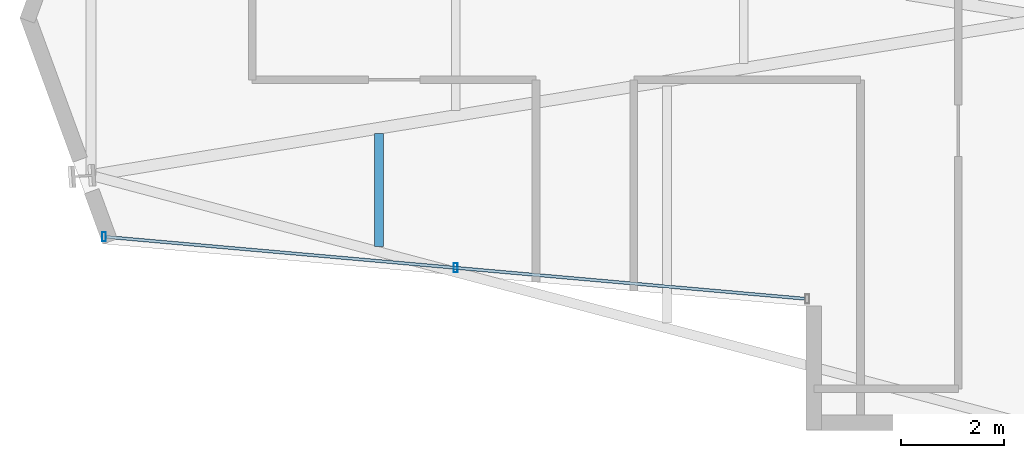
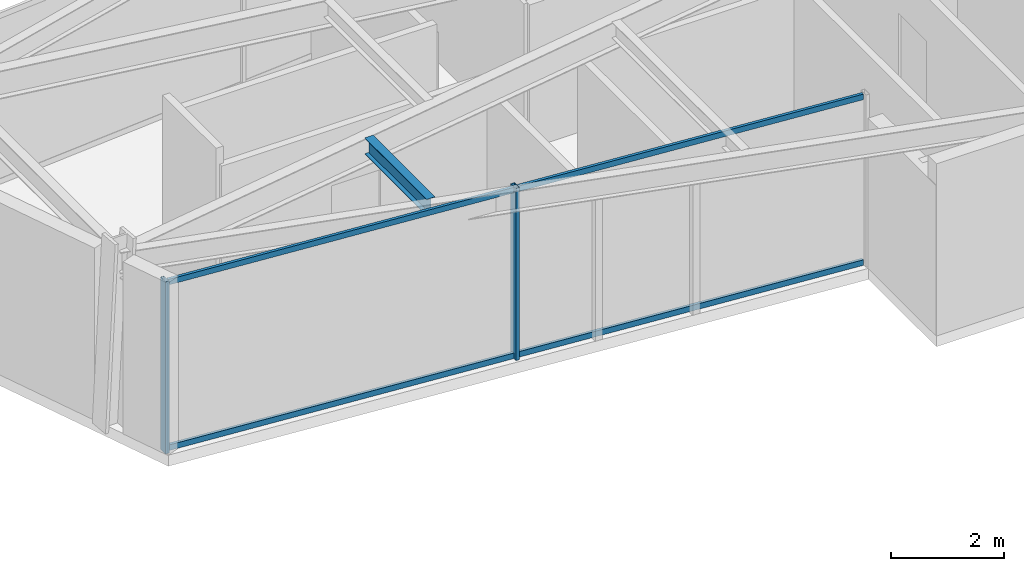
# One storey, part 2 of 23: 4 members, 1 beam, 1 element without a shape of its own.
"""IFC4 building model written with IfcOpenShell, lengths in metres."""

from ifc_helpers import new_model, si_unit, direction, frame, origin, origin_2d, place, context, subcontext, project, spatial, hollow_rectangle, i_section, extrude, material, layer, layer_set, material_profile, profile_set, type_object, element, aggregate, save


model = new_model("IFC4")

# Units and contexts
model_context = context("Model", 3, precision=1e-05, world=origin(), true_north=direction((0.0, 1.0)))
body_context = subcontext(model_context, "Body", "Model", "MODEL_VIEW")
ifc_project = project(units=[si_unit("LENGTHUNIT", "METRE"), si_unit("AREAUNIT", "SQUARE_METRE"), si_unit("VOLUMEUNIT", "CUBIC_METRE"), si_unit("PLANEANGLEUNIT", "RADIAN"), si_unit("MASSUNIT", "GRAM", prefix="KILO")], contexts=[model_context])

# Site, building, storey
site_placement = place(None, origin())
site = spatial("IfcSite", under=ifc_project, at=site_placement, CompositionType="ELEMENT")
building_placement = place(site_placement, origin())
building = spatial("IfcBuilding", under=site, at=building_placement, Name="Veymaron Broadcast Tower", CompositionType="ELEMENT")
storey_placement = place(building_placement, frame((0.0, 0.0, 177.60009765625)))
storey = spatial("IfcBuildingStorey", under=building, at=storey_placement, Name="L41", CompositionType="ELEMENT", Elevation=177.60009765625)

# Beam
ifc_material_1 = material(Name="Structural steel ASTM A992 Gr 50", Category="steel")
ifc_material_profile_1 = material_profile(ifc_material_1, i_section(OverallWidth=0.1708984375, OverallDepth=0.35498046875, WebThickness=0.007080078125, FlangeThickness=0.01171875, at=origin_2d()), Name="W360X51")
ifc_profile_set_1 = profile_set([ifc_material_profile_1], Name="Structural steel ASTM A992 Gr 50")
beam_type = type_object("IfcBeamType", Name="BM-JS2", PredefinedType="JOIST", material=ifc_profile_set_1)
beam_placement = place(storey_placement, frame((18.152587890625, 19.5615234375, 3.552490234375), z_axis=(0.0, 1.0, 0.0), x_axis=(-1.0, 0.0, 0.0)))
element("IfcBeam", 1, at=beam_placement, inside=storey, type_object=beam_type, Name="L41 Arm-A secondary joist 1S", PredefinedType="JOIST", context=body_context, shape_type="SweptSolid", body=[
    extrude(i_section(OverallWidth=0.1708984375, OverallDepth=0.35498046875, WebThickness=0.007080078125, FlangeThickness=0.01171875, at=origin_2d()), origin(), (0.0, 0.0, 1.0), 2.199951171875),
])

# Curtain wall, members
ifc_material_2 = material(Name="Anodised aluminium AA 6063-T6 and laminated low-E dark glass", Category="aluminium")
ifc_layer = layer(ifc_material_2, 0.179931640625)
ifc_layer_set = layer_set([ifc_layer], Name="Anodised aluminium AA 6063-T6 and laminated low-E dark glass")
curtain_wall_type = type_object("IfcCurtainWallType", Name="CW-SYS-03", PredefinedType="NOTDEFINED", material=ifc_layer_set)
curtain_wall_placement = place(storey_placement, origin())
curtain_wall = element("IfcCurtainWall", 2, at=curtain_wall_placement, inside=storey, type_object=curtain_wall_type, Name="L41 dark-glass curtain wall CW-L41-E14-1", PredefinedType="NOTDEFINED")
ifc_material_3 = material(Name="Anodised aluminium AA 6063-T6", Category="aluminium")
ifc_material_profile_2 = material_profile(ifc_material_3, hollow_rectangle(XDim=0.074951171875, YDim=0.179931640625, WallThickness=0.0048828125, at=origin_2d()), Name="AL180X75X5")
ifc_profile_set_2 = profile_set([ifc_material_profile_2], Name="Anodised aluminium AA 6063-T6")
member_type_1 = type_object("IfcMemberType", Name="CW-MUL-02", PredefinedType="MULLION", material=ifc_profile_set_2)
member_1_placement = place(storey_placement, frame((12.812255859375, 19.75439453125, 0.0), z_axis=(0.0, 0.0, 1.0), x_axis=(1.0, 0.0, 0.0)))
member_1 = element("IfcMember", 3, at=member_1_placement, type_object=member_type_1, Name="CW-L41-E14-1 mullion 0", PredefinedType="MULLION", context=body_context, shape_type="SweptSolid", body=[
    extrude(hollow_rectangle(XDim=0.074951171875, YDim=0.179931640625, WallThickness=0.0048828125, at=origin_2d()), origin(), (0.0, 0.0, 1.0), 3.72998046875),
])
member_2_placement = place(storey_placement, frame((19.640380859375, 19.150390625, 0.0), z_axis=(0.0, 0.0, 1.0), x_axis=(1.0, 0.0, 0.0)))
member_2 = element("IfcMember", 4, at=member_2_placement, type_object=member_type_1, Name="CW-L41-E14-1 mullion 1", PredefinedType="MULLION", context=body_context, shape_type="SweptSolid", body=[
    extrude(hollow_rectangle(XDim=0.074951171875, YDim=0.179931640625, WallThickness=0.0048828125, at=origin_2d()), origin(), (0.0, 0.0, 1.0), 3.72998046875),
])
ifc_material_profile_3 = material_profile(ifc_material_3, hollow_rectangle(XDim=0.06005859375, YDim=0.1201171875, WallThickness=0.00390625, at=origin_2d()), Name="AL120X60X4")
ifc_profile_set_3 = profile_set([ifc_material_profile_3], Name="Anodised aluminium AA 6063-T6")
member_type_2 = type_object("IfcMemberType", Name="CW-TRN-02", PredefinedType="USERDEFINED", material=ifc_profile_set_3)
member_3_placement = place(storey_placement, frame((12.862060546875, 19.75, 0.06982421875), z_axis=(0.996110099516, -0.088117362883, 0.0), x_axis=(0.088117362883, 0.996110099516, 0.0)))
member_3 = element("IfcMember", 5, at=member_3_placement, type_object=member_type_2, Name="CW-L41-E14-1 transom B", ObjectType="TRANSOM", PredefinedType="USERDEFINED", context=body_context, shape_type="SweptSolid", body=[
    extrude(hollow_rectangle(XDim=0.06005859375, YDim=0.1201171875, WallThickness=0.00390625, at=origin_2d()), origin(), (0.0, 0.0, 1.0), 13.609375),
])
member_4_placement = place(storey_placement, frame((12.862060546875, 19.75, 3.659912109375), z_axis=(0.996110099516, -0.088117362883, 0.0), x_axis=(0.088117362883, 0.996110099516, 0.0)))
member_4 = element("IfcMember", 6, at=member_4_placement, type_object=member_type_2, Name="CW-L41-E14-1 transom T", ObjectType="TRANSOM", PredefinedType="USERDEFINED", context=body_context, shape_type="SweptSolid", body=[
    extrude(hollow_rectangle(XDim=0.06005859375, YDim=0.1201171875, WallThickness=0.00390625, at=origin_2d()), origin(), (0.0, 0.0, 1.0), 13.609375),
])
aggregate(curtain_wall, [member_1, member_2, member_3, member_4])

save(model, "model.ifc")
